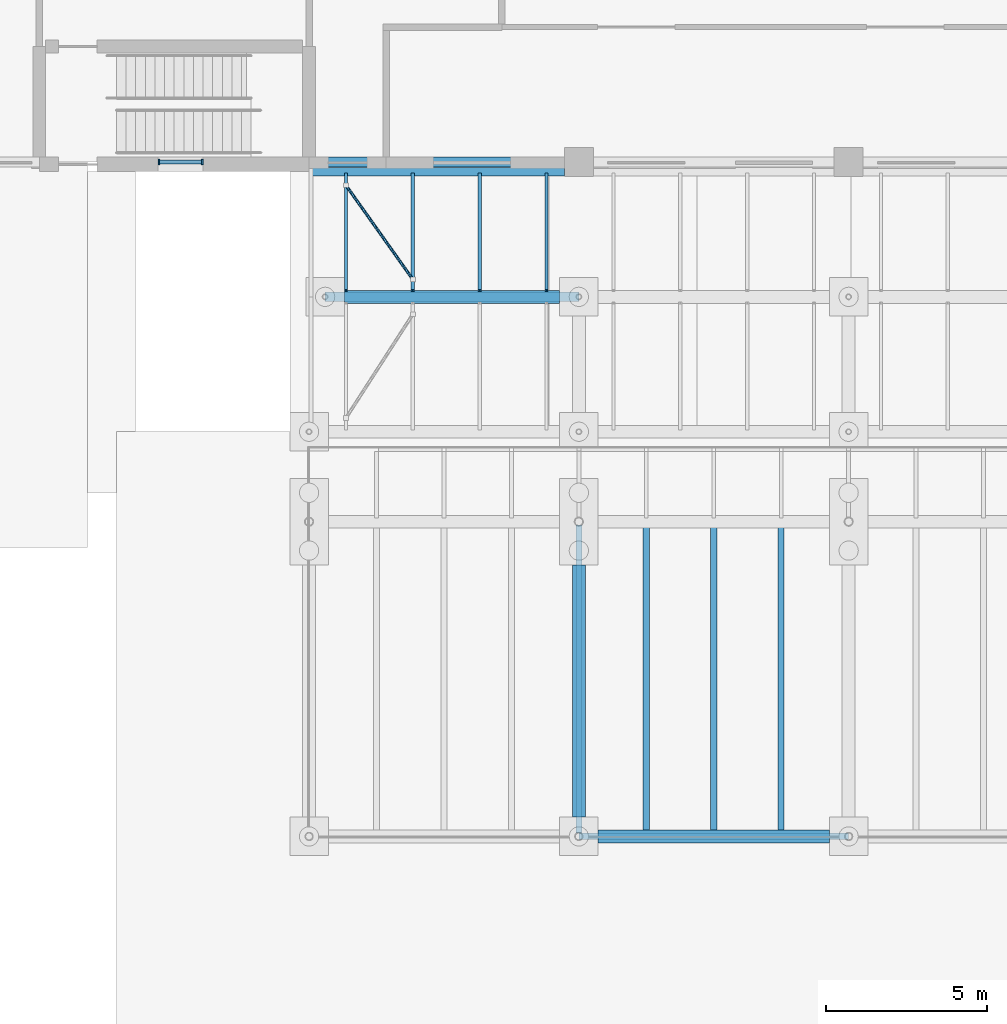
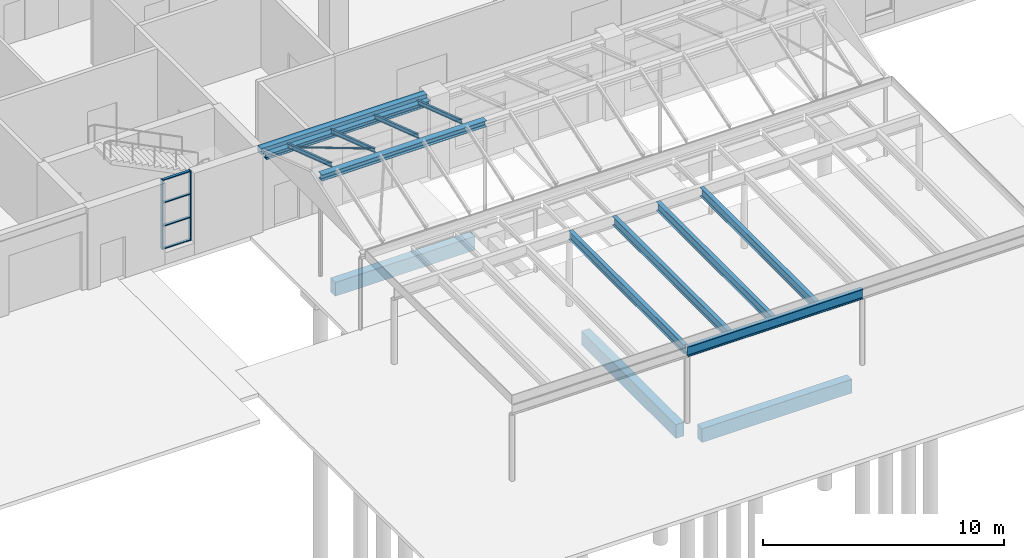
# One storey, part 34 of 138: 15 beams, 7 members, 1 element without a shape of its own.
"""IFC4 building model written with IfcOpenShell, lengths in metres."""

import ifcopenshell
import ifcopenshell.guid

model = None  # the IFC model being written
_history = None  # IfcOwnerHistory: only IFC2X3 demands one
_inside = {}  # id of a spatial element -> (the spatial element, [elements in it])
_under = {}  # id of a project, library or spatial element -> (it, [spatial elements below it])
_declared = {}  # id of a project -> (the project, [libraries it declares])
_typed = {}  # id of a type object -> (the type object, [elements of that type])
_made_of = {}  # id of a material, layer set ... -> (it, [elements and type objects made of it])


def new_model(schema):
    """Start an empty IFC model of exactly this schema.

    Asked for "IFC4X3", IfcOpenShell would pick the latest addendum, in which some entities
    have other attributes; the version numbers below select the first issue.
    IFC2X3 requires an IfcOwnerHistory on every rooted entity: one is made here for all.
    """
    global model, _history
    if schema == "IFC4X3":
        model = ifcopenshell.file(schema_version=(4, 3, 0, 0))
    else:
        model = ifcopenshell.file(schema=schema)
    _inside.clear()
    _under.clear()
    _declared.clear()
    _typed.clear()
    _made_of.clear()
    _history = None
    if model.schema == "IFC2X3":
        org = make("IfcOrganization", Name="unknown")
        user = make(
            "IfcPersonAndOrganization",
            ThePerson=make("IfcPerson", FamilyName="unknown"),
            TheOrganization=org,
        )
        app = make(
            "IfcApplication",
            ApplicationDeveloper=org,
            Version="unknown",
            ApplicationFullName="unknown",
            ApplicationIdentifier="unknown",
        )
        _history = make(
            "IfcOwnerHistory",
            OwningUser=user,
            OwningApplication=app,
            ChangeAction="ADDED",
            CreationDate=0,
        )
    return model


def make(cls, **values):
    """One entity of the class cls with the attributes given. An attribute that is None is left unset."""
    return model.create_entity(
        cls, **{name: value for name, value in values.items() if value is not None}
    )


def rooted(cls, **values):
    """An entity with a GlobalId (a new one), such as an element, a storey or a relation."""
    return make(cls, GlobalId=ifcopenshell.guid.new(), OwnerHistory=_history, **values)


def si_unit(unit_type, name, prefix=None):
    """IfcSIUnit, for example si_unit("LENGTHUNIT", "METRE", prefix="MILLI")."""
    return make("IfcSIUnit", UnitType=unit_type, Prefix=prefix, Name=name)


def assignment(units):
    """IfcUnitAssignment: the units of a project."""
    return None if units is None else make("IfcUnitAssignment", Units=units)


def point(xyz):
    """IfcCartesianPoint."""
    return None if xyz is None else make("IfcCartesianPoint", Coordinates=xyz)


def direction(xyz):
    """IfcDirection."""
    return None if xyz is None else make("IfcDirection", DirectionRatios=xyz)


def frame(location, z_axis=None, x_axis=None):
    """IfcAxis2Placement3D, a coordinate frame: its origin and axes. An axis left out is left unset."""
    return make(
        "IfcAxis2Placement3D",
        Location=point(location),
        Axis=direction(z_axis),
        RefDirection=direction(x_axis),
    )


def frame_2d(location, x_axis=None):
    """IfcAxis2Placement2D, a coordinate frame in the plane: its origin and x axis."""
    return make(
        "IfcAxis2Placement2D", Location=point(location), RefDirection=direction(x_axis)
    )


def origin():
    """The frame at (0, 0, 0) with its axes left unset."""
    return frame((0.0, 0.0, 0.0))


def origin_2d():
    """The frame at (0, 0) in the plane with its x axis left unset."""
    return frame_2d((0.0, 0.0))


def place(relative_to, where):
    """IfcLocalPlacement: puts the frame where relative to a parent placement (None: the world)."""
    return make(
        "IfcLocalPlacement", PlacementRelTo=relative_to, RelativePlacement=where
    )


def context(
    kind, dimensions, precision=None, world=None, true_north=None, identifier=None
):
    """IfcGeometricRepresentationContext, for example the 3D "Model" context."""
    return make(
        "IfcGeometricRepresentationContext",
        ContextIdentifier=identifier,
        ContextType=kind,
        CoordinateSpaceDimension=dimensions,
        Precision=precision,
        WorldCoordinateSystem=world,
        TrueNorth=true_north,
    )


def subcontext(parent, identifier, kind, view, scale=None):
    """IfcGeometricRepresentationSubContext, for example "Body" below "Model"."""
    return make(
        "IfcGeometricRepresentationSubContext",
        ContextIdentifier=identifier,
        ContextType=kind,
        ParentContext=parent,
        TargetScale=scale,
        TargetView=view,
    )


def project(units=None, contexts=None):
    """IfcProject with its units and contexts."""
    return rooted(
        "IfcProject",
        Name="project",
        RepresentationContexts=contexts,
        UnitsInContext=assignment(units),
    )


def spatial(cls, under=None, at=None, **own):
    """A site, building, storey or space (cls), placed at a placement, below another one or the project."""
    s = rooted(cls, ObjectPlacement=at, **own)
    if under is not None:
        _under.setdefault(under.id(), (under, []))[1].append(s)
    return s


def profile(cls, at=None, kind="AREA", **sizes):
    """A parametric profile (cls). Its sizes go by their IFC names, for example OverallWidth=200.0."""
    return make(cls, ProfileType=kind, Position=at, **sizes)


def rectangle(**sizes):
    """IfcRectangleProfileDef."""
    return profile("IfcRectangleProfileDef", **sizes)


def hollow_circle(**sizes):
    """IfcCircleHollowProfileDef."""
    return profile("IfcCircleHollowProfileDef", **sizes)


def i_section(**sizes):
    """IfcIShapeProfileDef."""
    return profile("IfcIShapeProfileDef", **sizes)


def extrude(swept, where, along, depth):
    """IfcExtrudedAreaSolid: the profile swept, set in the frame where, extruded along a direction by depth."""
    return make(
        "IfcExtrudedAreaSolid",
        SweptArea=swept,
        Position=where,
        ExtrudedDirection=direction(along),
        Depth=depth,
    )


def shape(context_of_items, identifier, shape_type, items):
    """IfcShapeRepresentation: the items that make up one representation, for example the "Body"."""
    return make(
        "IfcShapeRepresentation",
        ContextOfItems=context_of_items,
        RepresentationIdentifier=identifier,
        RepresentationType=shape_type,
        Items=items,
    )


def material(Name=None, Category=None):
    """IfcMaterial."""
    return make("IfcMaterial", Name=Name, Category=Category)


def material_profile(
    of_material, cross_section, Name=None, Category=None, Priority=None
):
    """IfcMaterialProfile: a cross section and its material."""
    return make(
        "IfcMaterialProfile",
        Name=Name,
        Material=of_material,
        Profile=cross_section,
        Priority=Priority,
        Category=Category,
    )


def profile_set(profiles, Name=None, composite=None):
    """IfcMaterialProfileSet."""
    return make(
        "IfcMaterialProfileSet",
        Name=Name,
        MaterialProfiles=profiles,
        CompositeProfile=composite,
    )


def made_of(thing, what):
    """Note that an element or type object is made of a material, layer set ...; save() writes the relation."""
    if what is not None:
        _made_of.setdefault(what.id(), (what, []))[1].append(thing)
    return thing


def type_object(cls, material=None, **own):
    """A type object (cls), such as IfcWallType, which elements share."""
    return made_of(rooted(cls, **own), material)


def element(
    cls,
    number,
    at=None,
    inside=None,
    cuts=None,
    type_object=None,
    material=None,
    context=None,
    identifier="Body",
    shape_type=None,
    held_by="IfcProductDefinitionShape",
    body=None,
    shapes=None,
    **own,
):
    """One element of the class cls, such as IfcWall. Its Tag is "e" and its number.

    at: its placement. inside: the storey or other place that contains it. cuts: it is an
    opening in that element (IfcRelVoidsElement). A single representation is given by context,
    identifier, shape_type and body (its items); several are given by shapes. held_by: the class
    of the entity that holds the representations. save() writes the other relations.
    """
    e = rooted(cls, Tag="e%d" % number, ObjectPlacement=at, **own)
    if body is not None:
        shapes = [shape(context, identifier, shape_type, body)]
    if shapes is not None:
        e.Representation = make(held_by, Representations=shapes)
    if inside is not None:
        _inside.setdefault(inside.id(), (inside, []))[1].append(e)
    if cuts is not None:
        rooted(
            "IfcRelVoidsElement", RelatingBuildingElement=cuts, RelatedOpeningElement=e
        )
    if type_object is not None:
        _typed.setdefault(type_object.id(), (type_object, []))[1].append(e)
    return made_of(e, material)


def aggregate(whole, parts):
    """IfcRelAggregates: a whole, such as a stair, and the parts it consists of."""
    return rooted("IfcRelAggregates", RelatingObject=whole, RelatedObjects=parts)


def save(model, path):
    """Write the relations noted so far, then the file.

    IfcRelAggregates (storeys below a building ...), IfcRelContainedInSpatialStructure (elements
    in a storey), IfcRelDefinesByType, IfcRelAssociatesMaterial and IfcRelDeclares: one each for
    every whole, place, type object, material and project.
    """
    for whole, parts in _under.values():
        aggregate(whole, parts)
    for where, things in _inside.values():
        rooted(
            "IfcRelContainedInSpatialStructure",
            RelatedElements=things,
            RelatingStructure=where,
        )
    for kind, things in _typed.values():
        rooted("IfcRelDefinesByType", RelatedObjects=things, RelatingType=kind)
    for what, things in _made_of.values():
        rooted("IfcRelAssociatesMaterial", RelatedObjects=things, RelatingMaterial=what)
    for by, libraries in _declared.values():
        rooted("IfcRelDeclares", RelatingContext=by, RelatedDefinitions=libraries)
    model.write(path)


model = new_model("IFC4")

# Units and contexts
model_context = context("Model", 3, precision=1e-05, world=origin(), true_north=direction((0.0, 1.0)))
body_context = subcontext(model_context, "Body", "Model", "MODEL_VIEW")
ifc_project = project(units=[si_unit("LENGTHUNIT", "METRE"), si_unit("AREAUNIT", "SQUARE_METRE"), si_unit("VOLUMEUNIT", "CUBIC_METRE"), si_unit("PLANEANGLEUNIT", "RADIAN"), si_unit("MASSUNIT", "GRAM", prefix="KILO")], contexts=[model_context])

# Site, building, storey
site_placement = place(None, origin())
site = spatial("IfcSite", under=ifc_project, at=site_placement, CompositionType="ELEMENT")
building_placement = place(site_placement, origin())
building = spatial("IfcBuilding", under=site, at=building_placement, Name="Yavir Park General Hospital", CompositionType="ELEMENT")
storey_placement = place(building_placement, origin())
storey = spatial("IfcBuildingStorey", under=building, at=storey_placement, Name="L00", CompositionType="ELEMENT", Elevation=0.0)

# Member
ifc_material_1 = material(Name="Steel S355", Category="steel")
ifc_material_profile_1 = material_profile(ifc_material_1, hollow_circle(Radius=0.04443359375, WallThickness=0.0048828125, at=origin_2d()), Name="CHS88.9x5")
ifc_profile_set_1 = profile_set([ifc_material_profile_1], Name="Steel S355")
member_type_1 = type_object("IfcMemberType", Name="CHS 88.9x5 roof brace", PredefinedType="BRACE", material=ifc_profile_set_1)
member_1_placement = place(storey_placement, frame((76.75, -0.72900390625, 4.179443359375), z_axis=(0.558999459542, -0.786611295302, 0.262225617236), x_axis=(0.815135669052, 0.579270093341, 0.0)))
element("IfcMember", 1, at=member_1_placement, inside=storey, type_object=member_type_1, Name="RF:PORCH:frame:X:2", PredefinedType="BRACE", context=body_context, shape_type="SweptSolid", body=[
    extrude(hollow_circle(Radius=0.04443359375, WallThickness=0.0048828125, at=origin_2d()), origin(), (0.0, 0.0, 1.0), 3.72412109375),
])

# Beams
ifc_material_2 = material(Name="Steel S355", Category="steel")
ifc_material_profile_2 = material_profile(ifc_material_2, i_section(OverallWidth=0.260009765625, OverallDepth=0.25, WebThickness=0.007568359375, FlangeThickness=0.012451171875, FilletRadius=0.02392578125, at=origin_2d()), Name="HEA260")
ifc_profile_set_2 = profile_set([ifc_material_profile_2], Name="Steel S355")
beam_type_1 = type_object("IfcBeamType", Name="HEA 260 eave beam", PredefinedType="BEAM", material=ifc_profile_set_2)
beam_1_placement = place(storey_placement, frame((75.699951171875, -0.300048828125, 3.842041015625), z_axis=(1.0, 0.0, 0.0), x_axis=(0.0, 1.0, 0.0)))
element("IfcBeam", 2, at=beam_1_placement, inside=storey, type_object=beam_type_1, Name="RF:PORCH:frame:E:3", PredefinedType="BEAM", context=body_context, shape_type="SweptSolid", body=[
    extrude(i_section(OverallWidth=0.260009765625, OverallDepth=0.25, WebThickness=0.007568359375, FlangeThickness=0.012451171875, FilletRadius=0.02392578125, at=origin_2d()), origin(), (0.0, 0.0, 1.0), 7.85009765625),
])
ifc_material_3 = material(Name="Steel S355", Category="steel")
ifc_material_profile_3 = material_profile(ifc_material_3, i_section(OverallWidth=0.300048828125, OverallDepth=0.31005859375, WebThickness=0.009033203125, FlangeThickness=0.015380859375, FilletRadius=0.027099609375, at=origin_2d()), Name="HEA320")
ifc_profile_set_3 = profile_set([ifc_material_profile_3], Name="Steel S355")
beam_type_2 = type_object("IfcBeamType", Name="HEA 320 ridge beam", PredefinedType="BEAM", material=ifc_profile_set_3)
beam_2_placement = place(storey_placement, frame((76.10009765625, -4.199951171875, 5.02587890625), z_axis=(1.0, 0.0, 0.0), x_axis=(0.0, 1.0, 0.0)))
element("IfcBeam", 3, at=beam_2_placement, inside=storey, type_object=beam_type_2, Name="RF:PORCH:frame:G:0", PredefinedType="BEAM", context=body_context, shape_type="SweptSolid", body=[
    extrude(i_section(OverallWidth=0.300048828125, OverallDepth=0.31005859375, WebThickness=0.009033203125, FlangeThickness=0.015380859375, FilletRadius=0.027099609375, at=origin_2d()), origin(), (0.0, 0.0, 1.0), 7.89990234375),
])
ifc_material_4 = material(Name="Steel S355", Category="steel")
ifc_material_profile_4 = material_profile(ifc_material_4, i_section(OverallWidth=0.10009765625, OverallDepth=0.199951171875, WebThickness=0.005615234375, FlangeThickness=0.008544921875, FilletRadius=0.011962890625, at=origin_2d()), Name="IPE200")
ifc_profile_set_4 = profile_set([ifc_material_profile_4], Name="Steel S355")
beam_type_3 = type_object("IfcBeamType", Name="IPE 200 rafter", PredefinedType="JOIST", material=ifc_profile_set_4)
for number, where, z_axis, x_axis, name in (
    (4, (76.75, -4.00830078125, 5.272705078125), (0.0, 0.948664150718, -0.316285202217), (-1.0, 0.0, 0.0), "RF:PORCH:frame:R:1"),
    (5, (78.831787109375, -4.00830078125, 5.272705078125), (0.0, 0.948664150718, -0.316285202217), (-1.0, 0.0, 0.0), "RF:PORCH:frame:R:3"),
    (6, (80.91357421875, -4.00830078125, 5.272705078125), (0.0, 0.948664150718, -0.316285202217), (-1.0, 0.0, 0.0), "RF:PORCH:frame:R:5"),
    (7, (82.99560546875, -4.00830078125, 5.272705078125), (0.0, 0.948664150718, -0.316285202217), (-1.0, 0.0, 0.0), "RF:PORCH:frame:R:7"),
):
    element("IfcBeam", number, at=place(storey_placement, frame(where, z_axis=z_axis, x_axis=x_axis)), inside=storey, type_object=beam_type_3, Name=name, PredefinedType="JOIST", context=body_context, shape_type="SweptSolid", body=[
        extrude(i_section(OverallWidth=0.10009765625, OverallDepth=0.199951171875, WebThickness=0.005615234375, FlangeThickness=0.008544921875, FilletRadius=0.011962890625, at=origin_2d()), origin(), (0.0, 0.0, 1.0), 3.825439453125),
    ])
ifc_material_5 = material(Name="Steel S355", Category="steel")
ifc_material_profile_5 = material_profile(ifc_material_5, i_section(OverallWidth=0.18994140625, OverallDepth=0.449951171875, WebThickness=0.009521484375, FlangeThickness=0.0146484375, FilletRadius=0.02099609375, at=origin_2d()), Name="IPE450")
ifc_profile_set_5 = profile_set([ifc_material_profile_5], Name="Steel S355")
beam_type_4 = type_object("IfcBeamType", Name="IPE 450 secondary beam, up to 10 m span", PredefinedType="JOIST", material=ifc_profile_set_5)
for number, where, z_axis, x_axis, name in (
    (8, (84.0, -11.31005859375, 3.625), (0.0, -1.0, 0.0), (1.0, 0.0, 0.0), "B:DROP:J4-1"),
    (9, (86.10009765625, -11.31005859375, 3.625), (0.0, -1.0, 0.0), (1.0, 0.0, 0.0), "B:DROP:J5-1"),
    (10, (88.199951171875, -11.31005859375, 3.625), (0.0, -1.0, 0.0), (1.0, 0.0, 0.0), "B:DROP:J6-1"),
    (11, (90.300048828125, -11.31005859375, 3.625), (0.0, -1.0, 0.0), (1.0, 0.0, 0.0), "B:DROP:J7-1"),
):
    element("IfcBeam", number, at=place(storey_placement, frame(where, z_axis=z_axis, x_axis=x_axis)), inside=storey, type_object=beam_type_4, Name=name, PredefinedType="JOIST", context=body_context, shape_type="SweptSolid", body=[
        extrude(i_section(OverallWidth=0.18994140625, OverallDepth=0.449951171875, WebThickness=0.009521484375, FlangeThickness=0.0146484375, FilletRadius=0.02099609375, at=origin_2d()), origin(), (0.0, 0.0, 1.0), 9.58984375),
    ])
ifc_material_6 = material(Name="Steel S355", Category="steel")
ifc_material_profile_6 = material_profile(ifc_material_6, i_section(OverallWidth=0.199951171875, OverallDepth=0.5, WebThickness=0.01025390625, FlangeThickness=0.01611328125, FilletRadius=0.02099609375, at=origin_2d()), Name="IPE500")
ifc_profile_set_6 = profile_set([ifc_material_profile_6], Name="Steel S355")
beam_type_5 = type_object("IfcBeamType", Name="IPE 500 main beam, outer row, up to 8.5 m span", PredefinedType="BEAM", material=ifc_profile_set_6)
beam_3_placement = place(storey_placement, frame((84.0, -21.0, 3.60009765625), z_axis=(1.0, 0.0, 0.0), x_axis=(0.0, 1.0, 0.0)))
element("IfcBeam", 12, at=beam_3_placement, inside=storey, type_object=beam_type_5, Name="B:DROP:M11", PredefinedType="BEAM", context=body_context, shape_type="SweptSolid", body=[
    extrude(i_section(OverallWidth=0.199951171875, OverallDepth=0.5, WebThickness=0.01025390625, FlangeThickness=0.01611328125, FilletRadius=0.02099609375, at=origin_2d()), origin(), (0.0, 0.0, 1.0), 8.39990234375),
])
ifc_material_7 = material(Name="Concrete C35/45", Category="concrete")
ifc_material_profile_7 = material_profile(ifc_material_7, rectangle(XDim=0.300048828125, YDim=0.300048828125, at=origin_2d()), Name="RC300x300")
ifc_profile_set_7 = profile_set([ifc_material_profile_7], Name="Concrete C35/45")
beam_type_6 = type_object("IfcBeamType", Name="RC BEAM 300x300 edge beam", PredefinedType="BEAM", material=ifc_profile_set_7)
beam_4_placement = place(storey_placement, frame((75.60009765625, 0.0, 3.989990234375), z_axis=(1.0, 0.0, 0.0), x_axis=(0.0, 1.0, 0.0)))
element("IfcBeam", 13, at=beam_4_placement, inside=storey, type_object=beam_type_6, Name="B:EDGE:L00:004", PredefinedType="BEAM", context=body_context, shape_type="SweptSolid", body=[
    extrude(rectangle(XDim=0.300048828125, YDim=0.300048828125, at=origin_2d()), origin(), (0.0, 0.0, 1.0), 7.949951171875),
])
ifc_material_8 = material(Name="Concrete C35/45", Category="concrete")
ifc_material_profile_8 = material_profile(ifc_material_8, rectangle(XDim=0.39990234375, YDim=0.699951171875, at=origin_2d()), Name="RC400x700")
ifc_profile_set_8 = profile_set([ifc_material_profile_8], Name="Concrete C35/45")
beam_type_7 = type_object("IfcBeamType", Name="RC BEAM 400x700 ground beam", PredefinedType="BEAM", material=ifc_profile_set_8)
beam_5_placement = place(storey_placement, frame((84.60009765625, -21.0, -0.800048828125), z_axis=(1.0, 0.0, 0.0), x_axis=(0.0, 1.0, 0.0)))
element("IfcBeam", 14, at=beam_5_placement, inside=storey, type_object=beam_type_7, Name="B:GND:DROP:C11:DROP:C12", PredefinedType="BEAM", context=body_context, shape_type="SweptSolid", body=[
    extrude(rectangle(XDim=0.39990234375, YDim=0.699951171875, at=origin_2d()), origin(), (0.0, 0.0, 1.0), 7.199951171875),
])
beam_6_placement = place(storey_placement, frame((76.699951171875, -4.199951171875, -0.800048828125), z_axis=(1.0, 0.0, 0.0), x_axis=(0.0, 1.0, 0.0)))
element("IfcBeam", 15, at=beam_6_placement, inside=storey, type_object=beam_type_7, Name="B:GND:PORCH:K0:PORCH:K1", PredefinedType="BEAM", context=body_context, shape_type="SweptSolid", body=[
    extrude(rectangle(XDim=0.39990234375, YDim=0.699951171875, at=origin_2d()), origin(), (0.0, 0.0, 1.0), 6.699951171875),
])
beam_7_placement = place(storey_placement, frame((84.0, -20.39990234375, -0.800048828125), z_axis=(0.0, 1.0, 0.0), x_axis=(-1.0, 0.0, 0.0)))
element("IfcBeam", 16, at=beam_7_placement, inside=storey, type_object=beam_type_7, Name="B:GND:DROP:C11:DROP:C01", PredefinedType="BEAM", context=body_context, shape_type="SweptSolid", body=[
    extrude(rectangle(XDim=0.39990234375, YDim=0.699951171875, at=origin_2d()), origin(), (0.0, 0.0, 1.0), 7.849853515625),
])

# Curtain wall, members
ifc_material_9 = material(Name="Aluminium curtain wall frame with insulated glazing", Category="aluminium")
curtain_wall_type = type_object("IfcCurtainWallType", Name="Stair light slot, ground floor, 3540 high, 1400 module", PredefinedType="NOTDEFINED", material=ifc_material_9)
curtain_wall_placement = place(storey_placement, origin())
curtain_wall = element("IfcCurtainWall", 17, at=curtain_wall_placement, inside=storey, type_object=curtain_wall_type, Name="CW19 L00-002", PredefinedType="NOTDEFINED")
ifc_material_10 = material(Name="Aluminium", Category="aluminium")
ifc_material_profile_9 = material_profile(ifc_material_10, rectangle(XDim=0.159912109375, YDim=0.050048828125, at=origin_2d()), Name="AL 50x160")
ifc_profile_set_9 = profile_set([ifc_material_profile_9], Name="Aluminium")
member_type_2 = type_object("IfcMemberType", Name="Stair light slot, ground floor, 3540 high mullion 50 x 160", PredefinedType="MULLION", material=ifc_profile_set_9)
member_2_placement = place(storey_placement, frame((70.925048828125, 0.0, 0.60009765625), z_axis=(0.0, 0.0, 1.0), x_axis=(0.0, 1.0, 0.0)))
member_2 = element("IfcMember", 18, at=member_2_placement, type_object=member_type_2, Name="CW19 mullion 1", PredefinedType="MULLION", context=body_context, shape_type="SweptSolid", body=[
    extrude(rectangle(XDim=0.159912109375, YDim=0.050048828125, at=origin_2d()), origin(), (0.0, 0.0, 1.0), 3.539794921875),
])
member_3_placement = place(storey_placement, frame((72.27490234375, 0.0, 0.60009765625), z_axis=(0.0, 0.0, 1.0), x_axis=(0.0, 1.0, 0.0)))
member_3 = element("IfcMember", 19, at=member_3_placement, type_object=member_type_2, Name="CW19 mullion 2", PredefinedType="MULLION", context=body_context, shape_type="SweptSolid", body=[
    extrude(rectangle(XDim=0.159912109375, YDim=0.050048828125, at=origin_2d()), origin(), (0.0, 0.0, 1.0), 3.539794921875),
])
ifc_material_11 = material(Name="Aluminium", Category="aluminium")
ifc_material_profile_10 = material_profile(ifc_material_11, rectangle(XDim=0.1201171875, YDim=0.050048828125, at=origin_2d()), Name="AL 120x50")
ifc_profile_set_10 = profile_set([ifc_material_profile_10], Name="Aluminium")
member_type_3 = type_object("IfcMemberType", Name="Stair light slot, ground floor, 3540 high transom 50 x 120", PredefinedType="MULLION", material=ifc_profile_set_10)
member_4_placement = place(storey_placement, frame((70.949951171875, 0.0, 0.625), z_axis=(1.0, 0.0, 0.0), x_axis=(0.0, 1.0, 0.0)))
member_4 = element("IfcMember", 20, at=member_4_placement, type_object=member_type_3, Name="CW19 transom 1.1", PredefinedType="MULLION", context=body_context, shape_type="SweptSolid", body=[
    extrude(rectangle(XDim=0.1201171875, YDim=0.050048828125, at=origin_2d()), origin(), (0.0, 0.0, 1.0), 1.300048828125),
])
member_5_placement = place(storey_placement, frame((70.949951171875, 0.0, 1.780029296875), z_axis=(1.0, 0.0, 0.0), x_axis=(0.0, 1.0, 0.0)))
member_5 = element("IfcMember", 21, at=member_5_placement, type_object=member_type_3, Name="CW19 transom 1.2", PredefinedType="MULLION", context=body_context, shape_type="SweptSolid", body=[
    extrude(rectangle(XDim=0.1201171875, YDim=0.050048828125, at=origin_2d()), origin(), (0.0, 0.0, 1.0), 1.300048828125),
])
member_6_placement = place(storey_placement, frame((70.949951171875, 0.0, 2.9599609375), z_axis=(1.0, 0.0, 0.0), x_axis=(0.0, 1.0, 0.0)))
member_6 = element("IfcMember", 22, at=member_6_placement, type_object=member_type_3, Name="CW19 transom 1.3", PredefinedType="MULLION", context=body_context, shape_type="SweptSolid", body=[
    extrude(rectangle(XDim=0.1201171875, YDim=0.050048828125, at=origin_2d()), origin(), (0.0, 0.0, 1.0), 1.300048828125),
])
member_7_placement = place(storey_placement, frame((70.949951171875, 0.0, 4.114990234375), z_axis=(1.0, 0.0, 0.0), x_axis=(0.0, 1.0, 0.0)))
member_7 = element("IfcMember", 23, at=member_7_placement, type_object=member_type_3, Name="CW19 transom 1.4", PredefinedType="MULLION", context=body_context, shape_type="SweptSolid", body=[
    extrude(rectangle(XDim=0.1201171875, YDim=0.050048828125, at=origin_2d()), origin(), (0.0, 0.0, 1.0), 1.300048828125),
])
aggregate(curtain_wall, [member_2, member_3, member_4, member_5, member_6, member_7])

save(model, "model.ifc")
